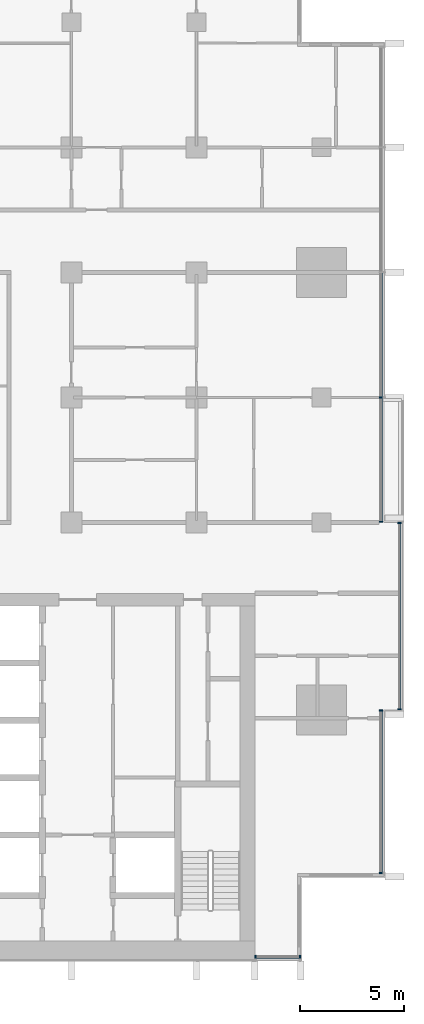
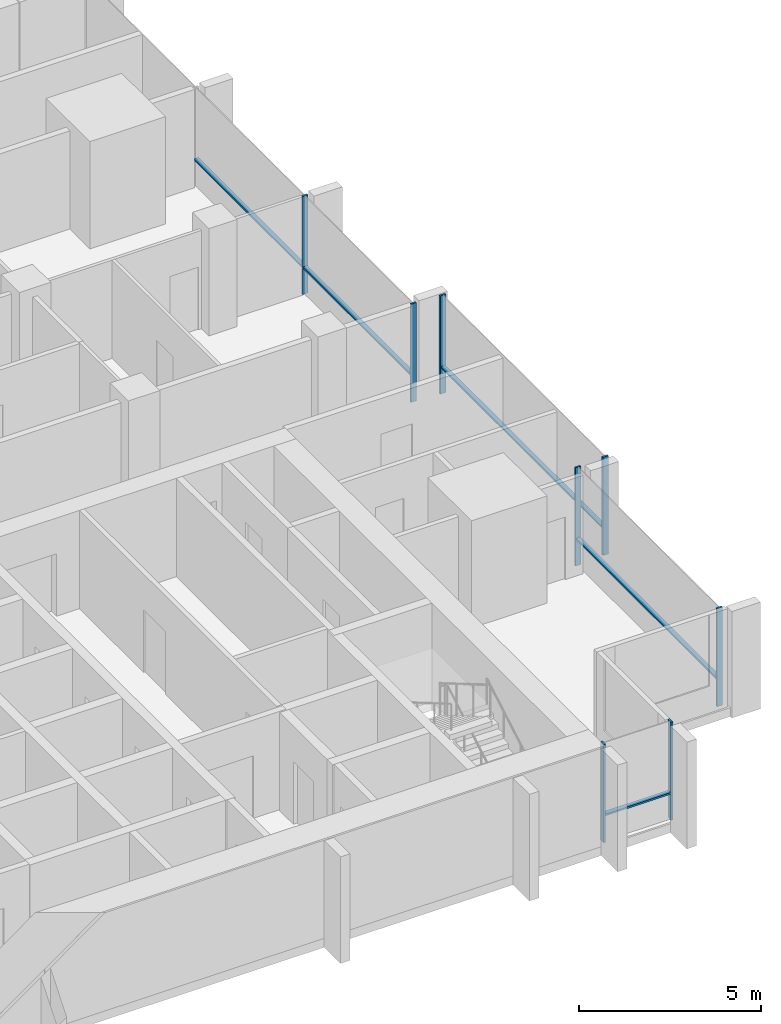
# One storey, part 3 of 17: 13 members, 4 elements without a shape of their own.
"""IFC4 building model written with IfcOpenShell, lengths in metres."""

import ifcopenshell
import ifcopenshell.guid

model = None  # the IFC model being written
_history = None  # IfcOwnerHistory: only IFC2X3 demands one
_inside = {}  # id of a spatial element -> (the spatial element, [elements in it])
_under = {}  # id of a project, library or spatial element -> (it, [spatial elements below it])
_declared = {}  # id of a project -> (the project, [libraries it declares])
_typed = {}  # id of a type object -> (the type object, [elements of that type])
_made_of = {}  # id of a material, layer set ... -> (it, [elements and type objects made of it])


def new_model(schema):
    """Start an empty IFC model of exactly this schema.

    Asked for "IFC4X3", IfcOpenShell would pick the latest addendum, in which some entities
    have other attributes; the version numbers below select the first issue.
    IFC2X3 requires an IfcOwnerHistory on every rooted entity: one is made here for all.
    """
    global model, _history
    if schema == "IFC4X3":
        model = ifcopenshell.file(schema_version=(4, 3, 0, 0))
    else:
        model = ifcopenshell.file(schema=schema)
    _inside.clear()
    _under.clear()
    _declared.clear()
    _typed.clear()
    _made_of.clear()
    _history = None
    if model.schema == "IFC2X3":
        org = make("IfcOrganization", Name="unknown")
        user = make(
            "IfcPersonAndOrganization",
            ThePerson=make("IfcPerson", FamilyName="unknown"),
            TheOrganization=org,
        )
        app = make(
            "IfcApplication",
            ApplicationDeveloper=org,
            Version="unknown",
            ApplicationFullName="unknown",
            ApplicationIdentifier="unknown",
        )
        _history = make(
            "IfcOwnerHistory",
            OwningUser=user,
            OwningApplication=app,
            ChangeAction="ADDED",
            CreationDate=0,
        )
    return model


def make(cls, **values):
    """One entity of the class cls with the attributes given. An attribute that is None is left unset."""
    return model.create_entity(
        cls, **{name: value for name, value in values.items() if value is not None}
    )


def rooted(cls, **values):
    """An entity with a GlobalId (a new one), such as an element, a storey or a relation."""
    return make(cls, GlobalId=ifcopenshell.guid.new(), OwnerHistory=_history, **values)


def si_unit(unit_type, name, prefix=None):
    """IfcSIUnit, for example si_unit("LENGTHUNIT", "METRE", prefix="MILLI")."""
    return make("IfcSIUnit", UnitType=unit_type, Prefix=prefix, Name=name)


def assignment(units):
    """IfcUnitAssignment: the units of a project."""
    return None if units is None else make("IfcUnitAssignment", Units=units)


def point(xyz):
    """IfcCartesianPoint."""
    return None if xyz is None else make("IfcCartesianPoint", Coordinates=xyz)


def direction(xyz):
    """IfcDirection."""
    return None if xyz is None else make("IfcDirection", DirectionRatios=xyz)


def frame(location, z_axis=None, x_axis=None):
    """IfcAxis2Placement3D, a coordinate frame: its origin and axes. An axis left out is left unset."""
    return make(
        "IfcAxis2Placement3D",
        Location=point(location),
        Axis=direction(z_axis),
        RefDirection=direction(x_axis),
    )


def frame_2d(location, x_axis=None):
    """IfcAxis2Placement2D, a coordinate frame in the plane: its origin and x axis."""
    return make(
        "IfcAxis2Placement2D", Location=point(location), RefDirection=direction(x_axis)
    )


def origin():
    """The frame at (0, 0, 0) with its axes left unset."""
    return frame((0.0, 0.0, 0.0))


def origin_2d():
    """The frame at (0, 0) in the plane with its x axis left unset."""
    return frame_2d((0.0, 0.0))


def place(relative_to, where):
    """IfcLocalPlacement: puts the frame where relative to a parent placement (None: the world)."""
    return make(
        "IfcLocalPlacement", PlacementRelTo=relative_to, RelativePlacement=where
    )


def context(
    kind, dimensions, precision=None, world=None, true_north=None, identifier=None
):
    """IfcGeometricRepresentationContext, for example the 3D "Model" context."""
    return make(
        "IfcGeometricRepresentationContext",
        ContextIdentifier=identifier,
        ContextType=kind,
        CoordinateSpaceDimension=dimensions,
        Precision=precision,
        WorldCoordinateSystem=world,
        TrueNorth=true_north,
    )


def subcontext(parent, identifier, kind, view, scale=None):
    """IfcGeometricRepresentationSubContext, for example "Body" below "Model"."""
    return make(
        "IfcGeometricRepresentationSubContext",
        ContextIdentifier=identifier,
        ContextType=kind,
        ParentContext=parent,
        TargetScale=scale,
        TargetView=view,
    )


def project(units=None, contexts=None):
    """IfcProject with its units and contexts."""
    return rooted(
        "IfcProject",
        Name="project",
        RepresentationContexts=contexts,
        UnitsInContext=assignment(units),
    )


def spatial(cls, under=None, at=None, **own):
    """A site, building, storey or space (cls), placed at a placement, below another one or the project."""
    s = rooted(cls, ObjectPlacement=at, **own)
    if under is not None:
        _under.setdefault(under.id(), (under, []))[1].append(s)
    return s


def profile(cls, at=None, kind="AREA", **sizes):
    """A parametric profile (cls). Its sizes go by their IFC names, for example OverallWidth=200.0."""
    return make(cls, ProfileType=kind, Position=at, **sizes)


def rectangle(**sizes):
    """IfcRectangleProfileDef."""
    return profile("IfcRectangleProfileDef", **sizes)


def extrude(swept, where, along, depth):
    """IfcExtrudedAreaSolid: the profile swept, set in the frame where, extruded along a direction by depth."""
    return make(
        "IfcExtrudedAreaSolid",
        SweptArea=swept,
        Position=where,
        ExtrudedDirection=direction(along),
        Depth=depth,
    )


def shape(context_of_items, identifier, shape_type, items):
    """IfcShapeRepresentation: the items that make up one representation, for example the "Body"."""
    return make(
        "IfcShapeRepresentation",
        ContextOfItems=context_of_items,
        RepresentationIdentifier=identifier,
        RepresentationType=shape_type,
        Items=items,
    )


def material(Name=None, Category=None):
    """IfcMaterial."""
    return make("IfcMaterial", Name=Name, Category=Category)


def material_profile(
    of_material, cross_section, Name=None, Category=None, Priority=None
):
    """IfcMaterialProfile: a cross section and its material."""
    return make(
        "IfcMaterialProfile",
        Name=Name,
        Material=of_material,
        Profile=cross_section,
        Priority=Priority,
        Category=Category,
    )


def profile_set(profiles, Name=None, composite=None):
    """IfcMaterialProfileSet."""
    return make(
        "IfcMaterialProfileSet",
        Name=Name,
        MaterialProfiles=profiles,
        CompositeProfile=composite,
    )


def made_of(thing, what):
    """Note that an element or type object is made of a material, layer set ...; save() writes the relation."""
    if what is not None:
        _made_of.setdefault(what.id(), (what, []))[1].append(thing)
    return thing


def type_object(cls, material=None, **own):
    """A type object (cls), such as IfcWallType, which elements share."""
    return made_of(rooted(cls, **own), material)


def element(
    cls,
    number,
    at=None,
    inside=None,
    cuts=None,
    type_object=None,
    material=None,
    context=None,
    identifier="Body",
    shape_type=None,
    held_by="IfcProductDefinitionShape",
    body=None,
    shapes=None,
    **own,
):
    """One element of the class cls, such as IfcWall. Its Tag is "e" and its number.

    at: its placement. inside: the storey or other place that contains it. cuts: it is an
    opening in that element (IfcRelVoidsElement). A single representation is given by context,
    identifier, shape_type and body (its items); several are given by shapes. held_by: the class
    of the entity that holds the representations. save() writes the other relations.
    """
    e = rooted(cls, Tag="e%d" % number, ObjectPlacement=at, **own)
    if body is not None:
        shapes = [shape(context, identifier, shape_type, body)]
    if shapes is not None:
        e.Representation = make(held_by, Representations=shapes)
    if inside is not None:
        _inside.setdefault(inside.id(), (inside, []))[1].append(e)
    if cuts is not None:
        rooted(
            "IfcRelVoidsElement", RelatingBuildingElement=cuts, RelatedOpeningElement=e
        )
    if type_object is not None:
        _typed.setdefault(type_object.id(), (type_object, []))[1].append(e)
    return made_of(e, material)


def aggregate(whole, parts):
    """IfcRelAggregates: a whole, such as a stair, and the parts it consists of."""
    return rooted("IfcRelAggregates", RelatingObject=whole, RelatedObjects=parts)


def save(model, path):
    """Write the relations noted so far, then the file.

    IfcRelAggregates (storeys below a building ...), IfcRelContainedInSpatialStructure (elements
    in a storey), IfcRelDefinesByType, IfcRelAssociatesMaterial and IfcRelDeclares: one each for
    every whole, place, type object, material and project.
    """
    for whole, parts in _under.values():
        aggregate(whole, parts)
    for where, things in _inside.values():
        rooted(
            "IfcRelContainedInSpatialStructure",
            RelatedElements=things,
            RelatingStructure=where,
        )
    for kind, things in _typed.values():
        rooted("IfcRelDefinesByType", RelatedObjects=things, RelatingType=kind)
    for what, things in _made_of.values():
        rooted("IfcRelAssociatesMaterial", RelatedObjects=things, RelatingMaterial=what)
    for by, libraries in _declared.values():
        rooted("IfcRelDeclares", RelatingContext=by, RelatedDefinitions=libraries)
    model.write(path)


model = new_model("IFC4")

# Units and contexts
model_context = context("Model", 3, precision=1e-05, world=origin(), true_north=direction((0.0, 1.0)))
body_context = subcontext(model_context, "Body", "Model", "MODEL_VIEW")
ifc_project = project(units=[si_unit("LENGTHUNIT", "METRE"), si_unit("AREAUNIT", "SQUARE_METRE"), si_unit("VOLUMEUNIT", "CUBIC_METRE"), si_unit("PLANEANGLEUNIT", "RADIAN"), si_unit("MASSUNIT", "GRAM", prefix="KILO")], contexts=[model_context])

# Site, building, storey
site_placement = place(None, origin())
site = spatial("IfcSite", under=ifc_project, at=site_placement, CompositionType="ELEMENT")
building_placement = place(site_placement, origin())
building = spatial("IfcBuilding", under=site, at=building_placement, Name="Finial Court Residences", CompositionType="ELEMENT")
storey_placement = place(building_placement, frame((0.0, 0.0, 174.5)))
storey = spatial("IfcBuildingStorey", under=building, at=storey_placement, Name="L43", CompositionType="ELEMENT", Elevation=174.5)

# Curtain wall, members
ifc_material = material(Name="Bronze anodised aluminium", Category="aluminium")
curtain_wall_type = type_object("IfcCurtainWallType", Name="Unitised curtain wall, upper zones", PredefinedType="NOTDEFINED", material=ifc_material)
curtain_wall_1_placement = place(storey_placement, origin())
curtain_wall_1 = element("IfcCurtainWall", 1, at=curtain_wall_1_placement, inside=storey, type_object=curtain_wall_type, Name="E-L43-CW-E4", PredefinedType="NOTDEFINED")
ifc_material_profile_1 = material_profile(ifc_material, rectangle(XDim=0.175048828125, YDim=0.06005859375, at=origin_2d()), Name="CW2 mullion 60 x 175")
ifc_profile_set_1 = profile_set([ifc_material_profile_1], Name="Bronze anodised aluminium")
member_type_1 = type_object("IfcMemberType", Name="CW2 mullion 60 x 175", PredefinedType="MULLION", material=ifc_profile_set_1)
member_1_placement = place(storey_placement, frame((19.35009765625, -21.320068359375, 0.0), z_axis=(0.0, 0.0, 1.0), x_axis=(-1.0, 0.0, 0.0)))
member_1 = element("IfcMember", 2, at=member_1_placement, type_object=member_type_1, Name="CW2 mullion 1", PredefinedType="MULLION", context=body_context, shape_type="SweptSolid", body=[
    extrude(rectangle(XDim=0.175048828125, YDim=0.06005859375, at=origin_2d()), origin(), (0.0, 0.0, 1.0), 3.300048828125),
])
member_2_placement = place(storey_placement, frame((19.35009765625, -13.530029296875, 0.0), z_axis=(0.0, 0.0, 1.0), x_axis=(-1.0, 0.0, 0.0)))
member_2 = element("IfcMember", 3, at=member_2_placement, type_object=member_type_1, Name="CW2 mullion 2", PredefinedType="MULLION", context=body_context, shape_type="SweptSolid", body=[
    extrude(rectangle(XDim=0.175048828125, YDim=0.06005859375, at=origin_2d()), origin(), (0.0, 0.0, 1.0), 3.300048828125),
])

curtain_wall_2_placement = place(storey_placement, origin())
curtain_wall_2 = element("IfcCurtainWall", 4, at=curtain_wall_2_placement, inside=storey, type_object=curtain_wall_type, Name="E-L43-CW-E5", PredefinedType="NOTDEFINED")
member_3_placement = place(storey_placement, frame((20.25, -13.469970703125, 0.0), z_axis=(0.0, 0.0, 1.0), x_axis=(-1.0, 0.0, 0.0)))
member_3 = element("IfcMember", 5, at=member_3_placement, type_object=member_type_1, Name="CW2 mullion 1", PredefinedType="MULLION", context=body_context, shape_type="SweptSolid", body=[
    extrude(rectangle(XDim=0.175048828125, YDim=0.06005859375, at=origin_2d()), origin(), (0.0, 0.0, 1.0), 3.300048828125),
])
member_4_placement = place(storey_placement, frame((20.25, -4.530029296875, 0.0), z_axis=(0.0, 0.0, 1.0), x_axis=(-1.0, 0.0, 0.0)))
member_4 = element("IfcMember", 6, at=member_4_placement, type_object=member_type_1, Name="CW2 mullion 2", PredefinedType="MULLION", context=body_context, shape_type="SweptSolid", body=[
    extrude(rectangle(XDim=0.175048828125, YDim=0.06005859375, at=origin_2d()), origin(), (0.0, 0.0, 1.0), 3.300048828125),
])

curtain_wall_3_placement = place(storey_placement, origin())
curtain_wall_3 = element("IfcCurtainWall", 7, at=curtain_wall_3_placement, inside=storey, type_object=curtain_wall_type, Name="E-L43-CW-E6", PredefinedType="NOTDEFINED")
member_5_placement = place(storey_placement, frame((19.35009765625, -4.469970703125, 0.0), z_axis=(0.0, 0.0, 1.0), x_axis=(-1.0, 0.0, 0.0)))
member_5 = element("IfcMember", 8, at=member_5_placement, type_object=member_type_1, Name="CW2 mullion 1", PredefinedType="MULLION", context=body_context, shape_type="SweptSolid", body=[
    extrude(rectangle(XDim=0.175048828125, YDim=0.06005859375, at=origin_2d()), origin(), (0.0, 0.0, 1.0), 3.300048828125),
])
member_6_placement = place(storey_placement, frame((19.35009765625, 1.5, 0.0), z_axis=(0.0, 0.0, 1.0), x_axis=(-1.0, 0.0, 0.0)))
member_6 = element("IfcMember", 9, at=member_6_placement, type_object=member_type_1, Name="CW2 mullion 2", PredefinedType="MULLION", context=body_context, shape_type="SweptSolid", body=[
    extrude(rectangle(XDim=0.175048828125, YDim=0.06005859375, at=origin_2d()), origin(), (0.0, 0.0, 1.0), 3.300048828125),
])

curtain_wall_4_placement = place(storey_placement, origin())
curtain_wall_4 = element("IfcCurtainWall", 10, at=curtain_wall_4_placement, inside=storey, type_object=curtain_wall_type, Name="E-L43-CW-S8", PredefinedType="NOTDEFINED")
member_7_placement = place(storey_placement, frame((13.330078125, -25.35009765625, 0.0), z_axis=(0.0, 0.0, 1.0), x_axis=(0.0, 1.0, 0.0)))
member_7 = element("IfcMember", 11, at=member_7_placement, type_object=member_type_1, Name="CW2 mullion 1", PredefinedType="MULLION", context=body_context, shape_type="SweptSolid", body=[
    extrude(rectangle(XDim=0.175048828125, YDim=0.06005859375, at=origin_2d()), origin(), (0.0, 0.0, 1.0), 3.300048828125),
])
member_8_placement = place(storey_placement, frame((15.469970703125, -25.35009765625, 0.0), z_axis=(0.0, 0.0, 1.0), x_axis=(0.0, 1.0, 0.0)))
member_8 = element("IfcMember", 12, at=member_8_placement, type_object=member_type_1, Name="CW2 mullion 2", PredefinedType="MULLION", context=body_context, shape_type="SweptSolid", body=[
    extrude(rectangle(XDim=0.175048828125, YDim=0.06005859375, at=origin_2d()), origin(), (0.0, 0.0, 1.0), 3.300048828125),
])

# Member
ifc_material_profile_2 = material_profile(ifc_material, rectangle(XDim=0.139892578125, YDim=0.06005859375, at=origin_2d()), Name="CW2 transom 60 x 140")
ifc_profile_set_2 = profile_set([ifc_material_profile_2], Name="Bronze anodised aluminium")
member_type_2 = type_object("IfcMemberType", Name="CW2 transom 60 x 140", PredefinedType="USERDEFINED", material=ifc_profile_set_2)
member_9_placement = place(storey_placement, frame((19.35009765625, -21.2900390625, 0.89990234375), z_axis=(0.0, 1.0, 0.0), x_axis=(-1.0, 0.0, 0.0)))
member_9 = element("IfcMember", 13, at=member_9_placement, type_object=member_type_2, Name="CW2 transom 1.1", ObjectType="TRANSOM", PredefinedType="USERDEFINED", context=body_context, shape_type="SweptSolid", body=[
    extrude(rectangle(XDim=0.139892578125, YDim=0.06005859375, at=origin_2d()), origin(), (0.0, 0.0, 1.0), 7.72998046875),
])

aggregate(curtain_wall_1, [member_1, member_2, member_9])

member_10_placement = place(storey_placement, frame((20.25, -13.43994140625, 0.89990234375), z_axis=(0.0, 1.0, 0.0), x_axis=(-1.0, 0.0, 0.0)))
member_10 = element("IfcMember", 14, at=member_10_placement, type_object=member_type_2, Name="CW2 transom 1.1", ObjectType="TRANSOM", PredefinedType="USERDEFINED", context=body_context, shape_type="SweptSolid", body=[
    extrude(rectangle(XDim=0.139892578125, YDim=0.06005859375, at=origin_2d()), origin(), (0.0, 0.0, 1.0), 8.8798828125),
])

aggregate(curtain_wall_2, [member_3, member_4, member_10])

member_11_placement = place(storey_placement, frame((19.35009765625, -4.43994140625, 0.89990234375), z_axis=(0.0, 1.0, 0.0), x_axis=(-1.0, 0.0, 0.0)))
member_11 = element("IfcMember", 15, at=member_11_placement, type_object=member_type_2, Name="CW2 transom 1.1", ObjectType="TRANSOM", PredefinedType="USERDEFINED", context=body_context, shape_type="SweptSolid", body=[
    extrude(rectangle(XDim=0.139892578125, YDim=0.06005859375, at=origin_2d()), origin(), (0.0, 0.0, 1.0), 5.909912109375),
])

member_12_placement = place(storey_placement, frame((19.35009765625, 1.530029296875, 0.89990234375), z_axis=(0.0, 1.0, 0.0), x_axis=(-1.0, 0.0, 0.0)))
member_12 = element("IfcMember", 16, at=member_12_placement, type_object=member_type_2, Name="CW2 transom 2.1", ObjectType="TRANSOM", PredefinedType="USERDEFINED", context=body_context, shape_type="SweptSolid", body=[
    extrude(rectangle(XDim=0.139892578125, YDim=0.06005859375, at=origin_2d()), origin(), (0.0, 0.0, 1.0), 5.93994140625),
])

aggregate(curtain_wall_3, [member_5, member_6, member_11, member_12])

member_13_placement = place(storey_placement, frame((13.360107421875, -25.35009765625, 0.89990234375), z_axis=(1.0, 0.0, 0.0), x_axis=(0.0, 1.0, 0.0)))
member_13 = element("IfcMember", 17, at=member_13_placement, type_object=member_type_2, Name="CW2 transom 1.1", ObjectType="TRANSOM", PredefinedType="USERDEFINED", context=body_context, shape_type="SweptSolid", body=[
    extrude(rectangle(XDim=0.139892578125, YDim=0.06005859375, at=origin_2d()), origin(), (0.0, 0.0, 1.0), 2.079833984375),
])

aggregate(curtain_wall_4, [member_7, member_8, member_13])

save(model, "model.ifc")
